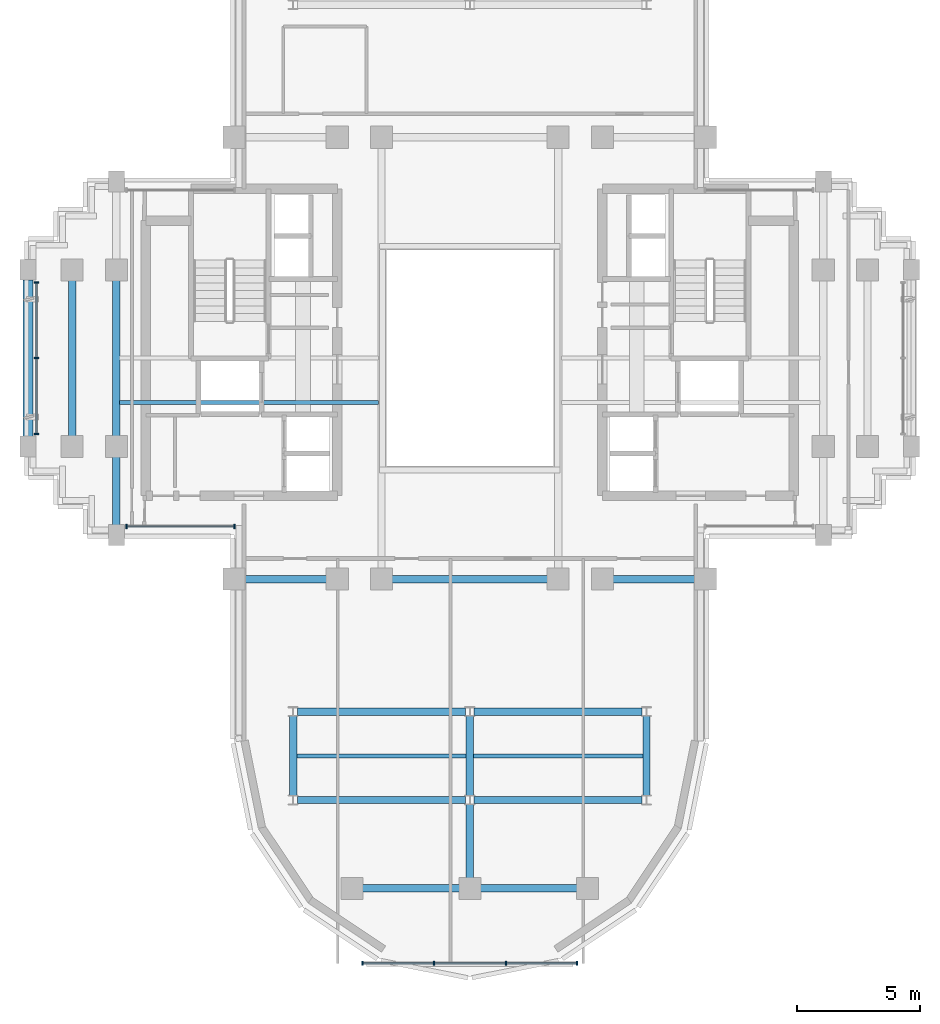
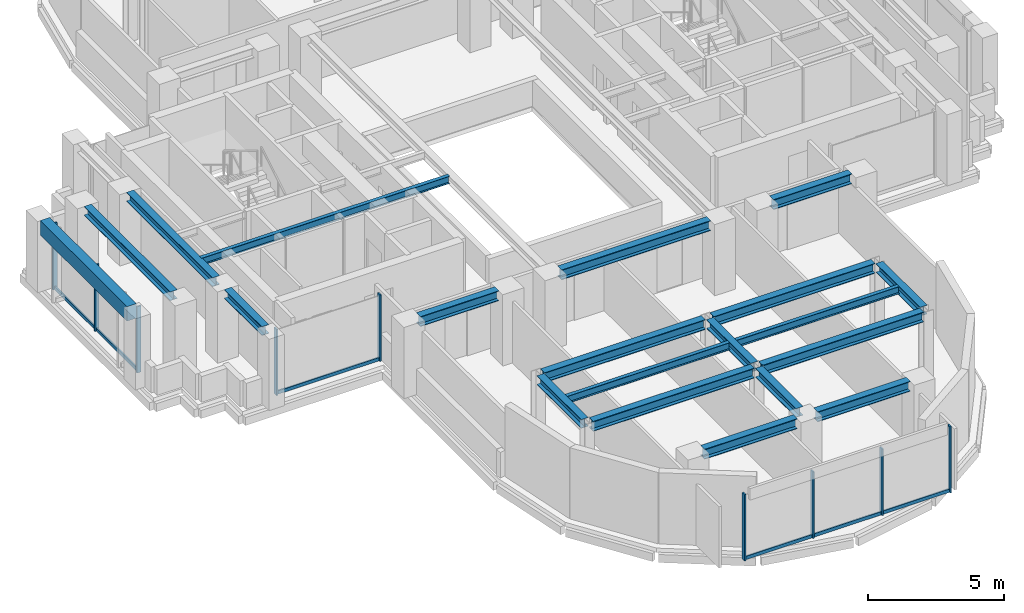
# One storey, part 2 of 11: 20 beams, 15 members, 3 elements without a shape of their own.
"""IFC4 building model written with IfcOpenShell, lengths in metres."""

from ifc_helpers import new_model, si_unit, direction, frame, origin, origin_2d, place, context, subcontext, project, spatial, rectangle, i_section, extrude, source, transform, mapped, material, material_profile, profile_set, type_object, element, aggregate, save


model = new_model("IFC4")

# Units and contexts
model_context = context("Model", 3, precision=1e-05, world=origin(), true_north=direction((0.0, 1.0)))
body_context = subcontext(model_context, "Body", "Model", "MODEL_VIEW")
ifc_project = project(units=[si_unit("LENGTHUNIT", "METRE"), si_unit("AREAUNIT", "SQUARE_METRE"), si_unit("VOLUMEUNIT", "CUBIC_METRE"), si_unit("PLANEANGLEUNIT", "RADIAN"), si_unit("MASSUNIT", "GRAM", prefix="KILO")], contexts=[model_context])

# Site, building, storey
site_placement = place(None, origin())
site = spatial("IfcSite", under=ifc_project, at=site_placement, CompositionType="ELEMENT")
building_placement = place(site_placement, origin())
building = spatial("IfcBuilding", under=site, at=building_placement, Name="Keilestroom Media Tower", CompositionType="ELEMENT")
storey_placement = place(building_placement, frame((0.0, 0.0, 163.800048828125)))
storey = spatial("IfcBuildingStorey", under=building, at=storey_placement, Name="L44", CompositionType="ELEMENT", Elevation=163.800048828125)

# Beams
ifc_material_1 = material(Name="Steel S355", Category="steel")
ifc_material_profile_1 = material_profile(ifc_material_1, i_section(OverallWidth=0.300048828125, OverallDepth=0.449951171875, WebThickness=0.011962890625, FlangeThickness=0.02587890625, at=origin_2d()), Name="HEB 450")
ifc_profile_set_1 = profile_set([ifc_material_profile_1], Name="Steel S355")
beam_type_1 = type_object("IfcBeamType", Name="Primary-Structural-Girder-HEB-450", PredefinedType="BEAM", material=ifc_profile_set_1)
shared_shape_1 = source(origin(), body_context, "Body", "SweptSolid", [
    extrude(i_section(OverallWidth=0.300048828125, OverallDepth=0.449951171875, WebThickness=0.011962890625, FlangeThickness=0.02587890625, at=origin_2d()), origin(), (0.0, 0.0, 1.0), 3.940185546875),
])
for number, where, z_axis, x_axis, name in (
    (1, (-4.3701171875, -21.60009765625, 2.974853515625), (1.0, 0.0, 0.0), (0.0, 1.0, 0.0), "L44 Beam BG-7 BM-L44-EW-001"),
    (2, (0.429931640625, -21.60009765625, 2.974853515625), (1.0, 0.0, 0.0), (0.0, 1.0, 0.0), "L44 Beam BG-7 BM-L44-EW-002"),
):
    element("IfcBeam", number, at=place(storey_placement, frame(where, z_axis=z_axis, x_axis=x_axis)), inside=storey, type_object=beam_type_1, Name=name, PredefinedType="BEAM", context=body_context, shape_type="MappedRepresentation", body=[
        mapped(shared_shape_1, transform((0.0, 0.0, 0.0), x_axis=(1.0, 0.0, 0.0), y_axis=(0.0, 1.0, 0.0), z_axis=(0.0, 0.0, 1.0), scale=1.0)),
    ])
shared_shape_2 = source(origin(), body_context, "Body", "SweptSolid", [
    extrude(i_section(OverallWidth=0.300048828125, OverallDepth=0.449951171875, WebThickness=0.011962890625, FlangeThickness=0.02587890625, at=origin_2d()), origin(), (0.0, 0.0, 1.0), 6.842041015625),
])
for number, where, z_axis, x_axis, name in (
    (3, (-7.02099609375, -18.0, 2.974853515625), (1.0, 0.0, 0.0), (0.0, 1.0, 0.0), "L44 Beam BG-7 BM-L44-EW-003"),
    (4, (0.178955078125, -18.0, 2.974853515625), (1.0, 0.0, 0.0), (0.0, 1.0, 0.0), "L44 Beam BG-7 BM-L44-EW-004"),
    (5, (-7.02099609375, -14.39990234375, 2.974853515625), (1.0, 0.0, 0.0), (0.0, 1.0, 0.0), "L44 Beam BG-7 BM-L44-EW-005"),
    (6, (0.178955078125, -14.39990234375, 2.974853515625), (1.0, 0.0, 0.0), (0.0, 1.0, 0.0), "L44 Beam BG-7 BM-L44-EW-006"),
):
    element("IfcBeam", number, at=place(storey_placement, frame(where, z_axis=z_axis, x_axis=x_axis)), inside=storey, type_object=beam_type_1, Name=name, PredefinedType="BEAM", context=body_context, shape_type="MappedRepresentation", body=[
        mapped(shared_shape_2, transform((0.0, 0.0, 0.0), x_axis=(1.0, 0.0, 0.0), y_axis=(0.0, 1.0, 0.0), z_axis=(0.0, 0.0, 1.0), scale=1.0)),
    ])
shared_shape_3 = source(origin(), body_context, "Body", "SweptSolid", [
    extrude(i_section(OverallWidth=0.300048828125, OverallDepth=0.449951171875, WebThickness=0.011962890625, FlangeThickness=0.02587890625, at=origin_2d()), origin(), (0.0, 0.0, 1.0), 3.33984375),
])
for number, where, z_axis, x_axis, name in (
    (7, (-9.169921875, -9.0, 2.974853515625), (1.0, 0.0, 0.0), (0.0, 1.0, 0.0), "L44 Beam BG-7 BM-L44-EW-007"),
    (8, (5.830078125, -9.0, 2.974853515625), (1.0, 0.0, 0.0), (0.0, 1.0, 0.0), "L44 Beam BG-7 BM-L44-EW-011"),
):
    element("IfcBeam", number, at=place(storey_placement, frame(where, z_axis=z_axis, x_axis=x_axis)), inside=storey, type_object=beam_type_1, Name=name, PredefinedType="BEAM", context=body_context, shape_type="MappedRepresentation", body=[
        mapped(shared_shape_3, transform((0.0, 0.0, 0.0), x_axis=(1.0, 0.0, 0.0), y_axis=(0.0, 1.0, 0.0), z_axis=(0.0, 0.0, 1.0), scale=1.0)),
    ])
shared_shape_4 = source(origin(), body_context, "Body", "SweptSolid", [
    extrude(i_section(OverallWidth=0.300048828125, OverallDepth=0.449951171875, WebThickness=0.011962890625, FlangeThickness=0.02587890625, at=origin_2d()), origin(), (0.0, 0.0, 1.0), 6.33984375),
])
beam_1_placement = place(storey_placement, frame((-3.169921875, -9.0, 2.974853515625), z_axis=(1.0, 0.0, 0.0), x_axis=(0.0, 1.0, 0.0)))
element("IfcBeam", 9, at=beam_1_placement, inside=storey, type_object=beam_type_1, Name="L44 Beam BG-7 BM-L44-EW-009", PredefinedType="BEAM", context=body_context, shape_type="MappedRepresentation", body=[
    mapped(shared_shape_4, transform((0.0, 0.0, 0.0), x_axis=(1.0, 0.0, 0.0), y_axis=(0.0, 1.0, 0.0), z_axis=(0.0, 0.0, 1.0), scale=1.0)),
])
ifc_material_2 = material(Name="Precast concrete C40/50", Category="concrete")
ifc_material_profile_2 = material_profile(ifc_material_2, rectangle(XDim=0.39990234375, YDim=0.64990234375, at=origin_2d()), Name="PC 400x650")
ifc_profile_set_2 = profile_set([ifc_material_profile_2], Name="Precast concrete C40/50")
beam_type_2 = type_object("IfcBeamType", Name="Perimeter-Spandrel-Beam-PC-400x650", PredefinedType="SPANDREL", material=ifc_profile_set_2)
shared_shape_5 = source(origin(), body_context, "Body", "SweptSolid", [
    extrude(rectangle(XDim=0.39990234375, YDim=0.64990234375, at=origin_2d()), origin(), (0.0, 0.0, 1.0), 6.39013671875),
])
beam_2_placement = place(storey_placement, frame((-18.0, -3.195068359375, 2.875), z_axis=(0.0, 1.0, 0.0), x_axis=(-1.0, 0.0, 0.0)))
element("IfcBeam", 10, at=beam_2_placement, inside=storey, type_object=beam_type_2, Name="L44 Beam SPB-2 BM-L44-NS-031", PredefinedType="SPANDREL", context=body_context, shape_type="MappedRepresentation", body=[
    mapped(shared_shape_5, transform((0.0, 0.0, 0.0), x_axis=(1.0, 0.0, 0.0), y_axis=(0.0, 1.0, 0.0), z_axis=(0.0, 0.0, 1.0), scale=1.0)),
])
ifc_material_profile_3 = material_profile(ifc_material_1, i_section(OverallWidth=0.300048828125, OverallDepth=0.39990234375, WebThickness=0.011474609375, FlangeThickness=0.02392578125, at=origin_2d()), Name="HEB 400")
ifc_profile_set_3 = profile_set([ifc_material_profile_3], Name="Steel S355")
beam_type_3 = type_object("IfcBeamType", Name="Primary-Structural-Girder-HEB-400", PredefinedType="BEAM", material=ifc_profile_set_3)
shared_shape_6 = source(origin(), body_context, "Body", "SweptSolid", [
    extrude(i_section(OverallWidth=0.300048828125, OverallDepth=0.39990234375, WebThickness=0.011474609375, FlangeThickness=0.02392578125, at=origin_2d()), origin(), (0.0, 0.0, 1.0), 6.33984375),
])
for number, where, z_axis, x_axis, name in (
    (11, (-16.199951171875, -3.169921875, 3.0), (0.0, 1.0, 0.0), (-1.0, 0.0, 0.0), "L44 Beam BG-8 BM-L44-NS-032"),
    (12, (-14.39990234375, -3.169921875, 3.0), (0.0, 1.0, 0.0), (-1.0, 0.0, 0.0), "L44 Beam BG-8 BM-L44-NS-034"),
):
    element("IfcBeam", number, at=place(storey_placement, frame(where, z_axis=z_axis, x_axis=x_axis)), inside=storey, type_object=beam_type_3, Name=name, PredefinedType="BEAM", context=body_context, shape_type="MappedRepresentation", body=[
        mapped(shared_shape_6, transform((0.0, 0.0, 0.0), x_axis=(1.0, 0.0, 0.0), y_axis=(0.0, 1.0, 0.0), z_axis=(0.0, 0.0, 1.0), scale=1.0)),
    ])
shared_shape_7 = source(origin(), body_context, "Body", "SweptSolid", [
    extrude(i_section(OverallWidth=0.300048828125, OverallDepth=0.39990234375, WebThickness=0.011474609375, FlangeThickness=0.02392578125, at=origin_2d()), origin(), (0.0, 0.0, 1.0), 2.764892578125),
])
beam_3_placement = place(storey_placement, frame((-14.39990234375, -6.794921875, 3.0), z_axis=(0.0, 1.0, 0.0), x_axis=(-1.0, 0.0, 0.0)))
element("IfcBeam", 13, at=beam_3_placement, inside=storey, type_object=beam_type_3, Name="L44 Beam BG-8 BM-L44-NS-033", PredefinedType="BEAM", context=body_context, shape_type="MappedRepresentation", body=[
    mapped(shared_shape_7, transform((0.0, 0.0, 0.0), x_axis=(1.0, 0.0, 0.0), y_axis=(0.0, 1.0, 0.0), z_axis=(0.0, 0.0, 1.0), scale=1.0)),
])
shared_shape_8 = source(origin(), body_context, "Body", "SweptSolid", [
    extrude(i_section(OverallWidth=0.300048828125, OverallDepth=0.39990234375, WebThickness=0.011474609375, FlangeThickness=0.02392578125, at=origin_2d()), origin(), (0.0, 0.0, 1.0), 3.2529296875),
])
for number, where, z_axis, x_axis, name in (
    (14, (-7.199951171875, -17.826416015625, 3.0), (0.0, 1.0, 0.0), (-1.0, 0.0, 0.0), "L44 Beam BG-8 BM-L44-NS-037"),
    (15, (0.0, -17.826416015625, 3.0), (0.0, 1.0, 0.0), (-1.0, 0.0, 0.0), "L44 Beam BG-8 BM-L44-NS-042"),
    (16, (7.199951171875, -17.826416015625, 3.0), (0.0, 1.0, 0.0), (-1.0, 0.0, 0.0), "L44 Beam BG-8 BM-L44-NS-047"),
):
    element("IfcBeam", number, at=place(storey_placement, frame(where, z_axis=z_axis, x_axis=x_axis)), inside=storey, type_object=beam_type_3, Name=name, PredefinedType="BEAM", context=body_context, shape_type="MappedRepresentation", body=[
        mapped(shared_shape_8, transform((0.0, 0.0, 0.0), x_axis=(1.0, 0.0, 0.0), y_axis=(0.0, 1.0, 0.0), z_axis=(0.0, 0.0, 1.0), scale=1.0)),
    ])
shared_shape_9 = source(origin(), body_context, "Body", "SweptSolid", [
    extrude(i_section(OverallWidth=0.300048828125, OverallDepth=0.39990234375, WebThickness=0.011474609375, FlangeThickness=0.02392578125, at=origin_2d()), origin(), (0.0, 0.0, 1.0), 2.996337890625),
])
beam_4_placement = place(storey_placement, frame((0.0, -21.169921875, 3.0), z_axis=(0.0, 1.0, 0.0), x_axis=(-1.0, 0.0, 0.0)))
element("IfcBeam", 17, at=beam_4_placement, inside=storey, type_object=beam_type_3, Name="L44 Beam BG-8 BM-L44-NS-041", PredefinedType="BEAM", context=body_context, shape_type="MappedRepresentation", body=[
    mapped(shared_shape_9, transform((0.0, 0.0, 0.0), x_axis=(1.0, 0.0, 0.0), y_axis=(0.0, 1.0, 0.0), z_axis=(0.0, 0.0, 1.0), scale=1.0)),
])
ifc_material_profile_4 = material_profile(ifc_material_1, i_section(OverallWidth=0.159912109375, OverallDepth=0.330078125, WebThickness=0.007568359375, FlangeThickness=0.011474609375, at=origin_2d()), Name="IPE 330")
ifc_profile_set_4 = profile_set([ifc_material_profile_4], Name="Steel S355")
beam_type_4 = type_object("IfcBeamType", Name="Secondary-Floor-Joist-IPE-330", PredefinedType="JOIST", material=ifc_profile_set_4)
shared_shape_10 = source(origin(), body_context, "Body", "SweptSolid", [
    extrude(i_section(OverallWidth=0.159912109375, OverallDepth=0.330078125, WebThickness=0.007568359375, FlangeThickness=0.011474609375, at=origin_2d()), origin(), (0.0, 0.0, 1.0), 6.940185546875),
])
for number, where, z_axis, x_axis, name in (
    (18, (-7.070068359375, -16.199951171875, 3.034912109375), (1.0, 0.0, 0.0), (0.0, 1.0, 0.0), "L44 Beam BJ-6 JST-L44-055"),
    (19, (0.1298828125, -16.199951171875, 3.034912109375), (1.0, 0.0, 0.0), (0.0, 1.0, 0.0), "L44 Beam BJ-6 JST-L44-056"),
):
    element("IfcBeam", number, at=place(storey_placement, frame(where, z_axis=z_axis, x_axis=x_axis)), inside=storey, type_object=beam_type_4, Name=name, PredefinedType="JOIST", context=body_context, shape_type="MappedRepresentation", body=[
        mapped(shared_shape_10, transform((0.0, 0.0, 0.0), x_axis=(1.0, 0.0, 0.0), y_axis=(0.0, 1.0, 0.0), z_axis=(0.0, 0.0, 1.0), scale=1.0)),
    ])
shared_shape_11 = source(origin(), body_context, "Body", "SweptSolid", [
    extrude(i_section(OverallWidth=0.159912109375, OverallDepth=0.330078125, WebThickness=0.007568359375, FlangeThickness=0.011474609375, at=origin_2d()), origin(), (0.0, 0.0, 1.0), 10.5400390625),
])
beam_5_placement = place(storey_placement, frame((-14.27001953125, -1.800048828125, 3.034912109375), z_axis=(1.0, 0.0, 0.0), x_axis=(0.0, 1.0, 0.0)))
element("IfcBeam", 20, at=beam_5_placement, inside=storey, type_object=beam_type_4, Name="L44 Beam BJ-6 JST-L44-057", PredefinedType="JOIST", context=body_context, shape_type="MappedRepresentation", body=[
    mapped(shared_shape_11, transform((0.0, 0.0, 0.0), x_axis=(1.0, 0.0, 0.0), y_axis=(0.0, 1.0, 0.0), z_axis=(0.0, 0.0, 1.0), scale=1.0)),
])

# Curtain wall, members
ifc_material_3 = material(Name="Anodised Aluminium Alloy", Category="aluminium")
curtain_wall_type_1 = type_object("IfcCurtainWallType", Name="Unitised-Curtain-Wall-CW-6", PredefinedType="NOTDEFINED", material=ifc_material_3)
curtain_wall_1_placement = place(storey_placement, origin())
curtain_wall_1 = element("IfcCurtainWall", 21, at=curtain_wall_1_placement, inside=storey, type_object=curtain_wall_type_1, Name="L44 Curtain Wall CW-6 CW-L44-LS-1", PredefinedType="NOTDEFINED")
ifc_material_profile_5 = material_profile(ifc_material_3, rectangle(XDim=0.06494140625, YDim=0.179931640625, at=origin_2d()), Name="ALU MULLION 65x180")
ifc_profile_set_5 = profile_set([ifc_material_profile_5], Name="Anodised Aluminium Alloy")
member_type_1 = type_object("IfcMemberType", Name="Curtain-Wall-Mullion-CW-6", PredefinedType="MULLION", material=ifc_profile_set_5)
shared_shape_12 = source(origin(), body_context, "Body", "SweptSolid", [
    extrude(rectangle(XDim=0.06494140625, YDim=0.179931640625, at=origin_2d()), origin(), (0.0, 0.0, 1.0), 2.97998046875),
])
member_1_placement = place(storey_placement, frame((-4.367431640625, -24.64990234375, 0.0), z_axis=(0.0, 0.0, 1.0), x_axis=(1.0, 0.0, 0.0)))
member_1 = element("IfcMember", 22, at=member_1_placement, type_object=member_type_1, Name="CW-6 Mullion 00", PredefinedType="MULLION", context=body_context, shape_type="MappedRepresentation", body=[
    mapped(shared_shape_12, transform((0.0, 0.0, 0.0), x_axis=(1.0, 0.0, 0.0), y_axis=(0.0, 1.0, 0.0), z_axis=(0.0, 0.0, 1.0), scale=1.0)),
])
member_2_placement = place(storey_placement, frame((-1.466796875, -24.64990234375, 0.0), z_axis=(0.0, 0.0, 1.0), x_axis=(1.0, 0.0, 0.0)))
member_2 = element("IfcMember", 23, at=member_2_placement, type_object=member_type_1, Name="CW-6 Mullion 01", PredefinedType="MULLION", context=body_context, shape_type="MappedRepresentation", body=[
    mapped(shared_shape_12, transform((0.0, 0.0, 0.0), x_axis=(1.0, 0.0, 0.0), y_axis=(0.0, 1.0, 0.0), z_axis=(0.0, 0.0, 1.0), scale=1.0)),
])
member_3_placement = place(storey_placement, frame((1.466796875, -24.64990234375, 0.0), z_axis=(0.0, 0.0, 1.0), x_axis=(1.0, 0.0, 0.0)))
member_3 = element("IfcMember", 24, at=member_3_placement, type_object=member_type_1, Name="CW-6 Mullion 02", PredefinedType="MULLION", context=body_context, shape_type="MappedRepresentation", body=[
    mapped(shared_shape_12, transform((0.0, 0.0, 0.0), x_axis=(1.0, 0.0, 0.0), y_axis=(0.0, 1.0, 0.0), z_axis=(0.0, 0.0, 1.0), scale=1.0)),
])
member_4_placement = place(storey_placement, frame((4.367431640625, -24.64990234375, 0.0), z_axis=(0.0, 0.0, 1.0), x_axis=(1.0, 0.0, 0.0)))
member_4 = element("IfcMember", 25, at=member_4_placement, type_object=member_type_1, Name="CW-6 Mullion 03", PredefinedType="MULLION", context=body_context, shape_type="MappedRepresentation", body=[
    mapped(shared_shape_12, transform((0.0, 0.0, 0.0), x_axis=(1.0, 0.0, 0.0), y_axis=(0.0, 1.0, 0.0), z_axis=(0.0, 0.0, 1.0), scale=1.0)),
])
ifc_material_profile_6 = material_profile(ifc_material_3, rectangle(XDim=0.06494140625, YDim=0.14990234375, at=origin_2d()), Name="ALU TRANSOM 65x150")
ifc_profile_set_6 = profile_set([ifc_material_profile_6], Name="Anodised Aluminium Alloy")
member_type_2 = type_object("IfcMemberType", Name="Curtain-Wall-Transom-CW-6", PredefinedType="USERDEFINED", material=ifc_profile_set_6)
shared_shape_13 = source(origin(), body_context, "Body", "SweptSolid", [
    extrude(rectangle(XDim=0.06494140625, YDim=0.14990234375, at=origin_2d()), origin(), (0.0, 0.0, 1.0), 2.839599609375),
])
member_5_placement = place(storey_placement, frame((-4.3369140625, -24.64990234375, 0.074951171875), z_axis=(1.0, 0.0, 0.0), x_axis=(0.0, 1.0, 0.0)))
member_5 = element("IfcMember", 26, at=member_5_placement, type_object=member_type_2, Name="CW-6 Transom 00.1", ObjectType="TRANSOM", PredefinedType="USERDEFINED", context=body_context, shape_type="MappedRepresentation", body=[
    mapped(shared_shape_13, transform((0.0, 0.0, 0.0), x_axis=(1.0, 0.0, 0.0), y_axis=(0.0, 1.0, 0.0), z_axis=(0.0, 0.0, 1.0), scale=1.0)),
])
member_6_placement = place(storey_placement, frame((1.497314453125, -24.64990234375, 0.074951171875), z_axis=(1.0, 0.0, 0.0), x_axis=(0.0, 1.0, 0.0)))
member_6 = element("IfcMember", 27, at=member_6_placement, type_object=member_type_2, Name="CW-6 Transom 02.1", ObjectType="TRANSOM", PredefinedType="USERDEFINED", context=body_context, shape_type="MappedRepresentation", body=[
    mapped(shared_shape_13, transform((0.0, 0.0, 0.0), x_axis=(1.0, 0.0, 0.0), y_axis=(0.0, 1.0, 0.0), z_axis=(0.0, 0.0, 1.0), scale=1.0)),
])
shared_shape_14 = source(origin(), body_context, "Body", "SweptSolid", [
    extrude(rectangle(XDim=0.06494140625, YDim=0.14990234375, at=origin_2d()), origin(), (0.0, 0.0, 1.0), 2.87255859375),
])
member_7_placement = place(storey_placement, frame((-1.436279296875, -24.64990234375, 0.074951171875), z_axis=(1.0, 0.0, 0.0), x_axis=(0.0, 1.0, 0.0)))
member_7 = element("IfcMember", 28, at=member_7_placement, type_object=member_type_2, Name="CW-6 Transom 01.1", ObjectType="TRANSOM", PredefinedType="USERDEFINED", context=body_context, shape_type="MappedRepresentation", body=[
    mapped(shared_shape_14, transform((0.0, 0.0, 0.0), x_axis=(1.0, 0.0, 0.0), y_axis=(0.0, 1.0, 0.0), z_axis=(0.0, 0.0, 1.0), scale=1.0)),
])
aggregate(curtain_wall_1, [member_1, member_2, member_3, member_4, member_5, member_7, member_6])

curtain_wall_type_2 = type_object("IfcCurtainWallType", Name="Unitised-Curtain-Wall-CW-3", PredefinedType="NOTDEFINED", material=ifc_material_3)
curtain_wall_2_placement = place(storey_placement, origin())
curtain_wall_2 = element("IfcCurtainWall", 29, at=curtain_wall_2_placement, inside=storey, type_object=curtain_wall_type_2, Name="L44 Curtain Wall CW-3 CW-L44-W-1", PredefinedType="NOTDEFINED")
ifc_material_profile_7 = material_profile(ifc_material_3, rectangle(XDim=0.06494140625, YDim=0.179931640625, at=origin_2d()), Name="ALU MULLION 65x180")
ifc_profile_set_7 = profile_set([ifc_material_profile_7], Name="Anodised Aluminium Alloy")
member_type_3 = type_object("IfcMemberType", Name="Curtain-Wall-Mullion-CW-3", PredefinedType="MULLION", material=ifc_profile_set_7)
shared_shape_15 = source(origin(), body_context, "Body", "SweptSolid", [
    extrude(rectangle(XDim=0.06494140625, YDim=0.179931640625, at=origin_2d()), origin(), (0.0, 0.0, 1.0), 2.97998046875),
])
member_8_placement = place(storey_placement, frame((-17.64990234375, -3.08251953125, 0.0), z_axis=(0.0, 0.0, 1.0), x_axis=(0.0, 1.0, 0.0)))
member_8 = element("IfcMember", 30, at=member_8_placement, type_object=member_type_3, Name="CW-3 Mullion 00", PredefinedType="MULLION", context=body_context, shape_type="MappedRepresentation", body=[
    mapped(shared_shape_15, transform((0.0, 0.0, 0.0), x_axis=(1.0, 0.0, 0.0), y_axis=(0.0, 1.0, 0.0), z_axis=(0.0, 0.0, 1.0), scale=1.0)),
])
member_9_placement = place(storey_placement, frame((-17.64990234375, 0.0, 0.0), z_axis=(0.0, 0.0, 1.0), x_axis=(0.0, 1.0, 0.0)))
member_9 = element("IfcMember", 31, at=member_9_placement, type_object=member_type_3, Name="CW-3 Mullion 01", PredefinedType="MULLION", context=body_context, shape_type="MappedRepresentation", body=[
    mapped(shared_shape_15, transform((0.0, 0.0, 0.0), x_axis=(1.0, 0.0, 0.0), y_axis=(0.0, 1.0, 0.0), z_axis=(0.0, 0.0, 1.0), scale=1.0)),
])
member_10_placement = place(storey_placement, frame((-17.64990234375, 3.08251953125, 0.0), z_axis=(0.0, 0.0, 1.0), x_axis=(0.0, 1.0, 0.0)))
member_10 = element("IfcMember", 32, at=member_10_placement, type_object=member_type_3, Name="CW-3 Mullion 02", PredefinedType="MULLION", context=body_context, shape_type="MappedRepresentation", body=[
    mapped(shared_shape_15, transform((0.0, 0.0, 0.0), x_axis=(1.0, 0.0, 0.0), y_axis=(0.0, 1.0, 0.0), z_axis=(0.0, 0.0, 1.0), scale=1.0)),
])

curtain_wall_3_placement = place(storey_placement, origin())
curtain_wall_3 = element("IfcCurtainWall", 33, at=curtain_wall_3_placement, inside=storey, type_object=curtain_wall_type_2, Name="L44 Curtain Wall CW-3 CW-L44-SW-1", PredefinedType="NOTDEFINED")
member_11_placement = place(storey_placement, frame((-13.982421875, -6.85009765625, 0.0), z_axis=(0.0, 0.0, 1.0), x_axis=(1.0, 0.0, 0.0)))
member_11 = element("IfcMember", 34, at=member_11_placement, type_object=member_type_3, Name="CW-3 Mullion 00", PredefinedType="MULLION", context=body_context, shape_type="MappedRepresentation", body=[
    mapped(shared_shape_15, transform((0.0, 0.0, 0.0), x_axis=(1.0, 0.0, 0.0), y_axis=(0.0, 1.0, 0.0), z_axis=(0.0, 0.0, 1.0), scale=1.0)),
])
member_12_placement = place(storey_placement, frame((-9.58251953125, -6.85009765625, 0.0), z_axis=(0.0, 0.0, 1.0), x_axis=(1.0, 0.0, 0.0)))
member_12 = element("IfcMember", 35, at=member_12_placement, type_object=member_type_3, Name="CW-3 Mullion 01", PredefinedType="MULLION", context=body_context, shape_type="MappedRepresentation", body=[
    mapped(shared_shape_15, transform((0.0, 0.0, 0.0), x_axis=(1.0, 0.0, 0.0), y_axis=(0.0, 1.0, 0.0), z_axis=(0.0, 0.0, 1.0), scale=1.0)),
])
ifc_material_profile_8 = material_profile(ifc_material_3, rectangle(XDim=0.06494140625, YDim=0.14990234375, at=origin_2d()), Name="ALU TRANSOM 65x150")
ifc_profile_set_8 = profile_set([ifc_material_profile_8], Name="Anodised Aluminium Alloy")
member_type_4 = type_object("IfcMemberType", Name="Curtain-Wall-Transom-CW-3", PredefinedType="USERDEFINED", material=ifc_profile_set_8)
shared_shape_16 = source(origin(), body_context, "Body", "SweptSolid", [
    extrude(rectangle(XDim=0.06494140625, YDim=0.14990234375, at=origin_2d()), origin(), (0.0, 0.0, 1.0), 4.3388671875),
])
member_13_placement = place(storey_placement, frame((-13.951904296875, -6.85009765625, 0.074951171875), z_axis=(1.0, 0.0, 0.0), x_axis=(0.0, 1.0, 0.0)))
member_13 = element("IfcMember", 36, at=member_13_placement, type_object=member_type_4, Name="CW-3 Transom 00.1", ObjectType="TRANSOM", PredefinedType="USERDEFINED", context=body_context, shape_type="MappedRepresentation", body=[
    mapped(shared_shape_16, transform((0.0, 0.0, 0.0), x_axis=(1.0, 0.0, 0.0), y_axis=(0.0, 1.0, 0.0), z_axis=(0.0, 0.0, 1.0), scale=1.0)),
])
aggregate(curtain_wall_3, [member_11, member_12, member_13])

# Member
shared_shape_17 = source(origin(), body_context, "Body", "SweptSolid", [
    extrude(rectangle(XDim=0.06494140625, YDim=0.14990234375, at=origin_2d()), origin(), (0.0, 0.0, 1.0), 3.021484375),
])
member_14_placement = place(storey_placement, frame((-17.64990234375, -3.052001953125, 0.074951171875), z_axis=(0.0, 1.0, 0.0), x_axis=(-1.0, 0.0, 0.0)))
member_14 = element("IfcMember", 37, at=member_14_placement, type_object=member_type_4, Name="CW-3 Transom 00.1", ObjectType="TRANSOM", PredefinedType="USERDEFINED", context=body_context, shape_type="MappedRepresentation", body=[
    mapped(shared_shape_17, transform((0.0, 0.0, 0.0), x_axis=(1.0, 0.0, 0.0), y_axis=(0.0, 1.0, 0.0), z_axis=(0.0, 0.0, 1.0), scale=1.0)),
])

member_15_placement = place(storey_placement, frame((-17.64990234375, 0.030517578125, 0.074951171875), z_axis=(0.0, 1.0, 0.0), x_axis=(-1.0, 0.0, 0.0)))
member_15 = element("IfcMember", 38, at=member_15_placement, type_object=member_type_4, Name="CW-3 Transom 01.1", ObjectType="TRANSOM", PredefinedType="USERDEFINED", context=body_context, shape_type="MappedRepresentation", body=[
    mapped(shared_shape_17, transform((0.0, 0.0, 0.0), x_axis=(1.0, 0.0, 0.0), y_axis=(0.0, 1.0, 0.0), z_axis=(0.0, 0.0, 1.0), scale=1.0)),
])

aggregate(curtain_wall_2, [member_8, member_9, member_10, member_14, member_15])

save(model, "model.ifc")
